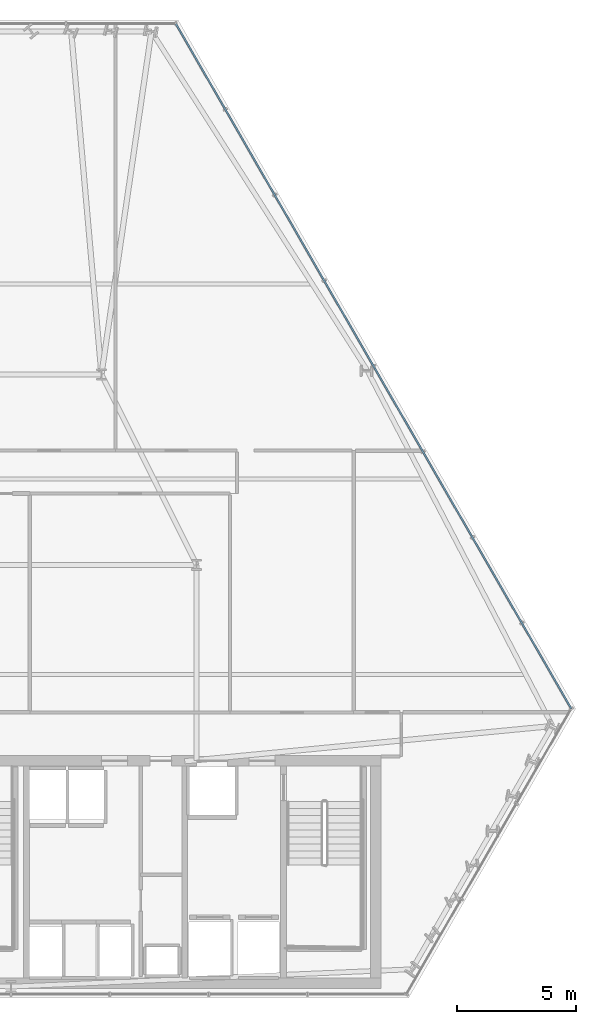
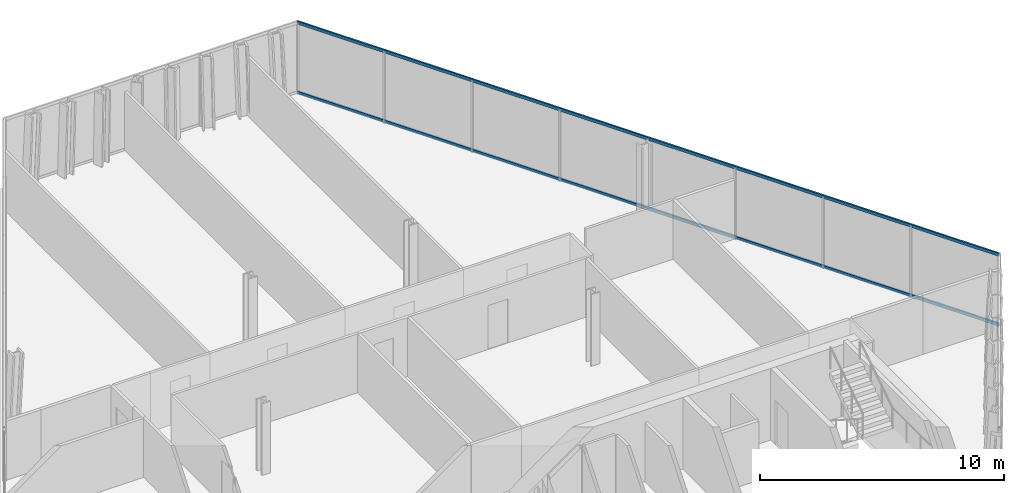
# One storey, part 20 of 32: 2 members, 1 element without a shape of its own.
"""IFC4 building model written with IfcOpenShell, lengths in metres."""

from ifc_helpers import new_model, si_unit, direction, frame, origin, origin_2d, place, context, subcontext, project, spatial, hollow_rectangle, extrude, material, layer, layer_set, material_profile, profile_set, type_object, element, aggregate, save


model = new_model("IFC4")

# Units and contexts
model_context = context("Model", 3, precision=1e-05, world=origin(), true_north=direction((0.0, 1.0)))
body_context = subcontext(model_context, "Body", "Model", "MODEL_VIEW")
ifc_project = project(units=[si_unit("LENGTHUNIT", "METRE"), si_unit("AREAUNIT", "SQUARE_METRE"), si_unit("VOLUMEUNIT", "CUBIC_METRE"), si_unit("PLANEANGLEUNIT", "RADIAN"), si_unit("MASSUNIT", "GRAM", prefix="KILO")], contexts=[model_context])

# Site, building, storey
site_placement = place(None, origin())
site = spatial("IfcSite", under=ifc_project, at=site_placement, CompositionType="ELEMENT")
building_placement = place(site_placement, origin())
building = spatial("IfcBuilding", under=site, at=building_placement, Name="Ndaravel Arena Tower", CompositionType="ELEMENT")
storey_placement = place(building_placement, frame((0.0, 0.0, 96.800048828125)))
storey = spatial("IfcBuildingStorey", under=building, at=storey_placement, Name="L22", CompositionType="ELEMENT", Elevation=96.800048828125)

# Curtain wall, members
ifc_material_1 = material(Name="Aluminium", Category="aluminium")
ifc_layer = layer(ifc_material_1, 0.179931640625)
ifc_layer_set = layer_set([ifc_layer], Name="Aluminium")
curtain_wall_type = type_object("IfcCurtainWallType", Name="CW-SYS-03", PredefinedType="NOTDEFINED", material=ifc_layer_set)
curtain_wall_placement = place(storey_placement, origin())
curtain_wall = element("IfcCurtainWall", 1, at=curtain_wall_placement, inside=storey, type_object=curtain_wall_type, Name="L22 Faceted Crystal Curtain Wall CW-L22-E03", PredefinedType="NOTDEFINED")
ifc_material_2 = material(Name="Aluminium", Category="aluminium")
ifc_material_profile = material_profile(ifc_material_2, hollow_rectangle(XDim=0.074951171875, YDim=0.14990234375, WallThickness=0.00390625, at=origin_2d()), Name="CW TRANSOM 75x150x4")
ifc_profile_set = profile_set([ifc_material_profile], Name="Aluminium")
member_type = type_object("IfcMemberType", Name="MEM-CW-TRN150", PredefinedType="USERDEFINED", material=ifc_profile_set)
member_1_placement = place(storey_placement, frame((65.541015625, 17.16064453125, 0.0400390625), z_axis=(-0.499998934557, 0.866026018917, 0.0), x_axis=(-0.866026018917, -0.499998934557, 0.0)))
member_1 = element("IfcMember", 2, at=member_1_placement, type_object=member_type, Name="CW-L22-E03 Transom 01", ObjectType="TRANSOM", PredefinedType="USERDEFINED", context=body_context, shape_type="SweptSolid", body=[
    extrude(hollow_rectangle(XDim=0.074951171875, YDim=0.14990234375, WallThickness=0.00390625, at=origin_2d()), origin(), (0.0, 0.0, 1.0), 33.224609375),
])
member_2_placement = place(storey_placement, frame((65.541015625, 17.16064453125, 3.5400390625), z_axis=(-0.499998934557, 0.866026018917, 0.0), x_axis=(-0.866026018917, -0.499998934557, 0.0)))
member_2 = element("IfcMember", 3, at=member_2_placement, type_object=member_type, Name="CW-L22-E03 Transom 02", ObjectType="TRANSOM", PredefinedType="USERDEFINED", context=body_context, shape_type="SweptSolid", body=[
    extrude(hollow_rectangle(XDim=0.074951171875, YDim=0.14990234375, WallThickness=0.00390625, at=origin_2d()), origin(), (0.0, 0.0, 1.0), 33.224609375),
])
aggregate(curtain_wall, [member_1, member_2])

save(model, "model.ifc")
